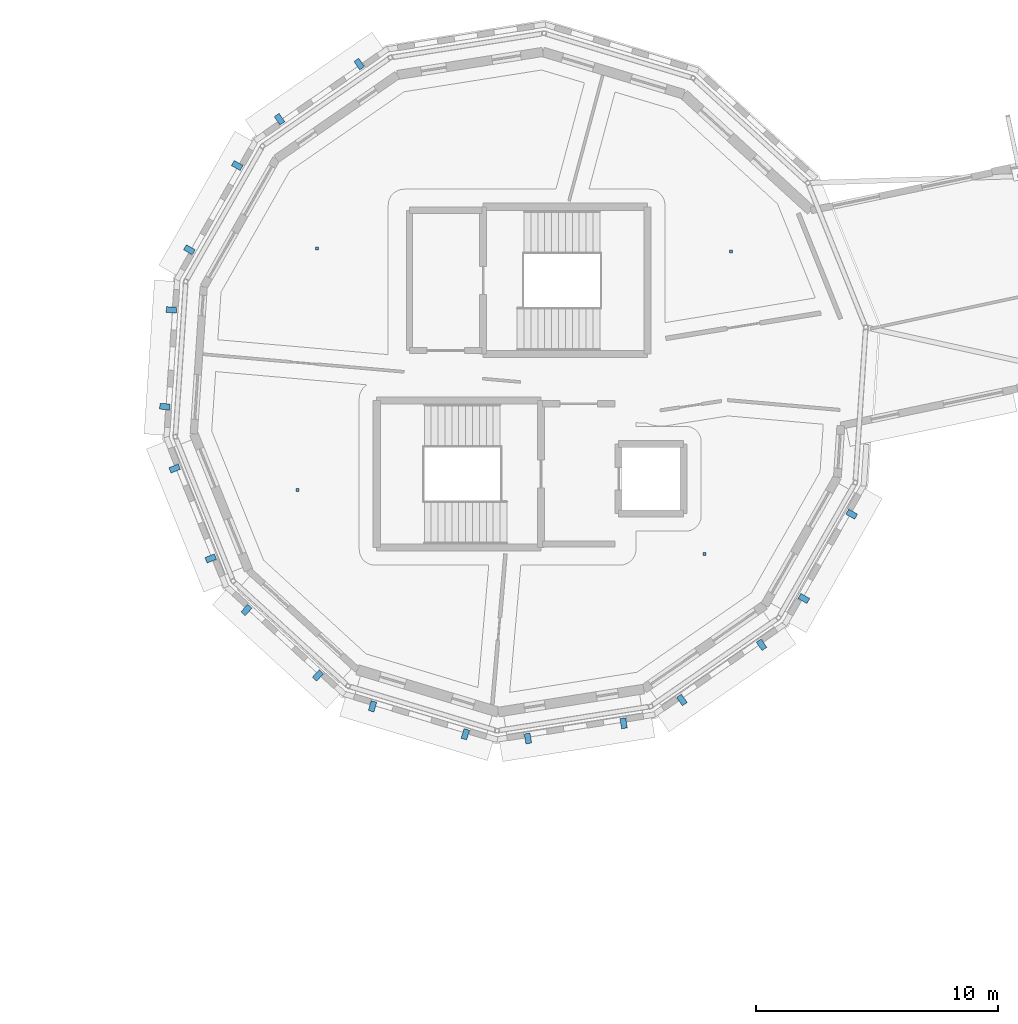
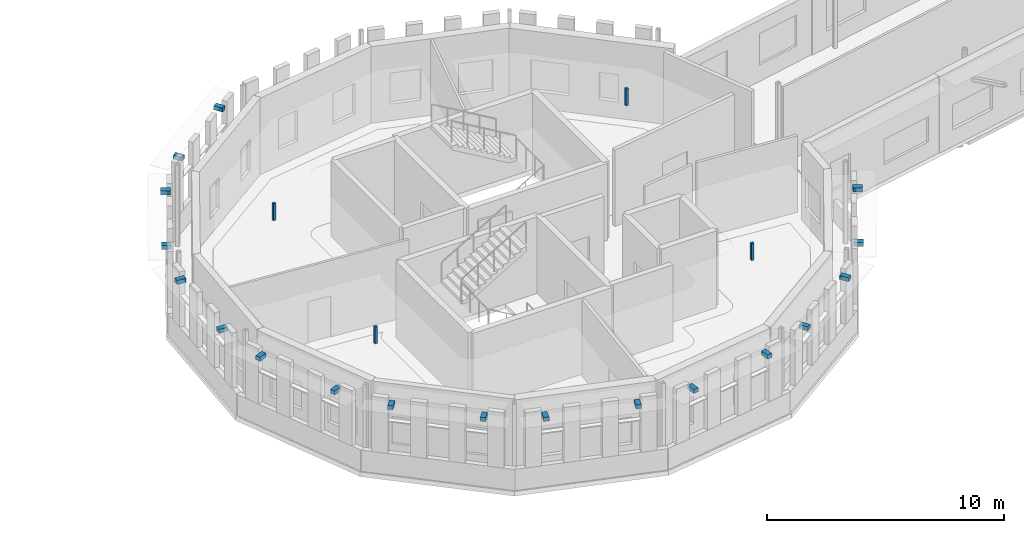
# One storey, part 58 of 68: 22 discrete accessories.
"""IFC4 building model written with IfcOpenShell, lengths in metres."""

from ifc_helpers import new_model, si_unit, direction, frame, origin, origin_2d, place, context, subcontext, project, spatial, rectangle, extrude, material, type_object, element, save


model = new_model("IFC4")

# Units and contexts
model_context = context("Model", 3, precision=1e-05, world=origin(), true_north=direction((0.0, 1.0)))
body_context = subcontext(model_context, "Body", "Model", "MODEL_VIEW")
ifc_project = project(units=[si_unit("LENGTHUNIT", "METRE"), si_unit("AREAUNIT", "SQUARE_METRE"), si_unit("VOLUMEUNIT", "CUBIC_METRE"), si_unit("PLANEANGLEUNIT", "RADIAN"), si_unit("MASSUNIT", "GRAM", prefix="KILO")], contexts=[model_context])

# Site, building, storey
site_placement = place(None, origin())
site = spatial("IfcSite", under=ifc_project, at=site_placement, CompositionType="ELEMENT")
building_placement = place(site_placement, origin())
building = spatial("IfcBuilding", under=site, at=building_placement, Name="Wrenclough Park School", CompositionType="ELEMENT")
storey_placement = place(building_placement, frame((0.0, 0.0, 12.60009765625)))
storey = spatial("IfcBuildingStorey", under=building, at=storey_placement, Name="L03", CompositionType="ELEMENT", Elevation=12.60009765625)

# Discrete accessories
ifc_material_1 = material(Name="Austenitic stainless steel Grade 1.4401", Category="steel")
discrete_accessory_type_1 = type_object("IfcDiscreteAccessoryType", Name="ENV-BRK-01", PredefinedType="BRACKET", material=ifc_material_1)
for number, where, z_axis, x_axis, name in (
    (1, (76.32958984375, 121.64501953125, 3.5400390625), (0.0, 0.0, 1.0), (-0.8220077158, -0.569476351718, 0.0), "Brise-soleil stainless outrigger bracket 0205"),
    (2, (73.037109375, 119.364013671875, 3.5400390625), (0.0, 0.0, 1.0), (-0.8220077158, -0.569476351718, 0.0), "Brise-soleil stainless outrigger bracket 0206"),
    (3, (71.28662109375, 117.448974609375, 3.5400390625), (0.0, 0.0, 1.0), (-0.493508752009, -0.869740830185, 0.0), "Brise-soleil stainless outrigger bracket 0207"),
    (4, (69.31005859375, 113.96533203125, 3.5400390625), (0.0, 0.0, 1.0), (-0.493508752009, -0.869740830185, 0.0), "Brise-soleil stainless outrigger bracket 0208"),
    (5, (68.56396484375, 111.480712890625, 3.5400390625), (0.0, 0.0, 1.0), (-0.067259701296, -0.997735502316, 0.0), "Brise-soleil stainless outrigger bracket 0209"),
    (6, (68.29443359375, 107.484375, 3.5400390625), (0.0, 0.0, 1.0), (-0.067259701296, -0.997735502316, 0.0), "Brise-soleil stainless outrigger bracket 0210"),
    (7, (68.700439453125, 104.921875, 3.5400390625), (0.0, 0.0, 1.0), (0.372291869402, -0.928115706136, 0.0), "Brise-soleil stainless outrigger bracket 0211"),
    (8, (70.19140625, 101.204345703125, 3.5400390625), (0.0, 0.0, 1.0), (0.372291869402, -0.928115706136, 0.0), "Brise-soleil stainless outrigger bracket 0212"),
    (9, (71.6689453125, 99.07177734375, 3.5400390625), (0.0, 0.0, 1.0), (0.738122161547, -0.674667084296, 0.0), "Brise-soleil stainless outrigger bracket 0213"),
    (10, (74.62548828125, 96.369384765625, 3.5400390625), (0.0, 0.0, 1.0), (0.738122161547, -0.674667084296, 0.0), "Brise-soleil stainless outrigger bracket 0214"),
    (11, (76.8818359375, 95.089111328125, 3.5400390625), (0.0, 0.0, 1.0), (0.957751215921, -0.287597997911, 0.0), "Brise-soleil stainless outrigger bracket 0215"),
    (12, (80.718017578125, 93.93701171875, 3.5400390625), (0.0, 0.0, 1.0), (0.957751215921, -0.287597997911, 0.0), "Brise-soleil stainless outrigger bracket 0216"),
    (13, (83.306396484375, 93.7626953125, 3.5400390625), (0.0, 0.0, 1.0), (0.98768815471, 0.156435638666, 0.0), "Brise-soleil stainless outrigger bracket 0217"),
    (14, (87.262451171875, 94.38916015625, 3.5400390625), (0.0, 0.0, 1.0), (0.98768815471, 0.156435638666, 0.0), "Brise-soleil stainless outrigger bracket 0218"),
    (15, (89.67041015625, 95.35498046875, 3.5400390625), (0.0, 0.0, 1.0), (0.8220077158, 0.569476351718, 0.0), "Brise-soleil stainless outrigger bracket 0219"),
    (16, (92.962890625, 97.635986328125, 3.5400390625), (0.0, 0.0, 1.0), (0.8220077158, 0.569476351718, 0.0), "Brise-soleil stainless outrigger bracket 0220"),
    (17, (94.71337890625, 99.551025390625, 3.5400390625), (0.0, 0.0, 1.0), (0.493508752009, 0.869740830185, 0.0), "Brise-soleil stainless outrigger bracket 0221"),
    (18, (96.68994140625, 103.03466796875, 3.5400390625), (0.0, 0.0, 1.0), (0.493508752009, 0.869740830185, 0.0), "Brise-soleil stainless outrigger bracket 0222"),
):
    element("IfcDiscreteAccessory", number, at=place(storey_placement, frame(where, z_axis=z_axis, x_axis=x_axis)), inside=storey, type_object=discrete_accessory_type_1, Name=name, PredefinedType="BRACKET", context=body_context, shape_type="SweptSolid", body=[
        extrude(rectangle(XDim=0.239990234375, YDim=0.419921875, at=origin_2d()), origin(), (0.0, 0.0, 1.0), 0.199951171875),
    ])
ifc_material_2 = material(Name="Galvanised steel acoustic ceiling suspension hanger", Category="steel")
discrete_accessory_type_2 = type_object("IfcDiscreteAccessoryType", Name="INT-BRK-HGR", PredefinedType="BRACKET", material=ifc_material_2)
for number, where, z_axis, x_axis, name in (
    (19, (74.5849609375, 114.01904296875, 3.08984375), (0.0, 0.0, 1.0), (1.0, 0.0, 0.0), "Acoustic ceiling hanger bracket 0074"),
    (20, (73.771484375, 104.02880859375, 3.08984375), (0.0, 0.0, 1.0), (1.0, 0.0, 0.0), "Acoustic ceiling hanger bracket 0075"),
    (21, (90.598876953125, 101.39208984375, 3.08984375), (0.0, 0.0, 1.0), (1.0, 0.0, 0.0), "Acoustic ceiling hanger bracket 0076"),
    (22, (91.692626953125, 113.89697265625, 3.08984375), (0.0, 0.0, 1.0), (1.0, 0.0, 0.0), "Acoustic ceiling hanger bracket 0077"),
):
    element("IfcDiscreteAccessory", number, at=place(storey_placement, frame(where, z_axis=z_axis, x_axis=x_axis)), inside=storey, type_object=discrete_accessory_type_2, Name=name, PredefinedType="BRACKET", context=body_context, shape_type="SweptSolid", body=[
        extrude(rectangle(XDim=0.1201171875, YDim=0.1201171875, at=origin_2d()), origin(), (0.0, 0.0, 1.0), 0.875),
    ])

save(model, "model.ifc")
